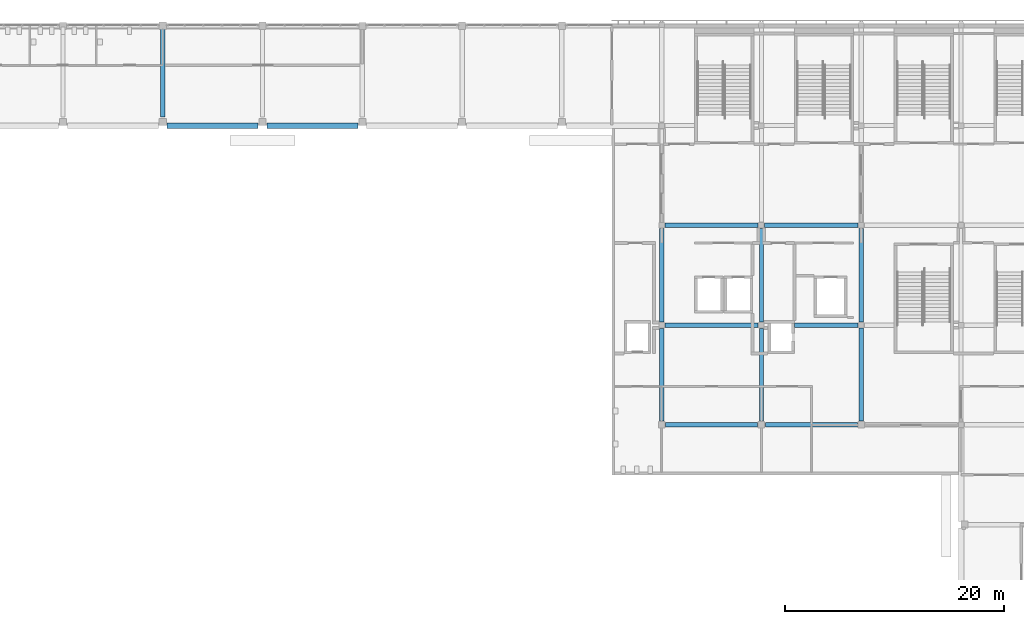
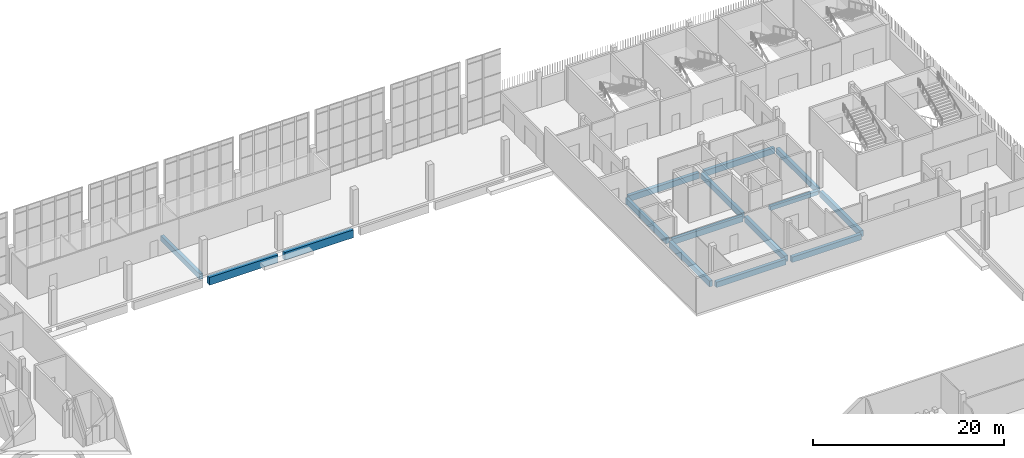
# One storey, part 20 of 91: 15 beams.
"""IFC4 building model written with IfcOpenShell, lengths in metres."""

from ifc_helpers import new_model, si_unit, direction, frame, origin, origin_2d, place, context, subcontext, project, spatial, rectangle, extrude, material, material_profile, profile_set, type_object, element, save


model = new_model("IFC4")

# Units and contexts
model_context = context("Model", 3, precision=1e-05, world=origin(), true_north=direction((0.0, 1.0)))
body_context = subcontext(model_context, "Body", "Model", "MODEL_VIEW")
ifc_project = project(units=[si_unit("LENGTHUNIT", "METRE"), si_unit("AREAUNIT", "SQUARE_METRE"), si_unit("VOLUMEUNIT", "CUBIC_METRE"), si_unit("PLANEANGLEUNIT", "RADIAN"), si_unit("MASSUNIT", "GRAM", prefix="KILO")], contexts=[model_context])

# Site, building, storey
site_placement = place(None, origin())
site = spatial("IfcSite", under=ifc_project, at=site_placement, CompositionType="ELEMENT")
building_placement = place(site_placement, origin())
building = spatial("IfcBuilding", under=site, at=building_placement, Name="Shirokan Park Arena", CompositionType="ELEMENT")
storey_placement = place(building_placement, frame((0.0, 0.0, 24.570068359375)))
storey = spatial("IfcBuildingStorey", under=building, at=storey_placement, Name="L05", CompositionType="ELEMENT", Elevation=24.570068359375)

# Beams
ifc_material = material(Name="Concrete C35", Category="concrete")
ifc_material_profile_1 = material_profile(ifc_material, rectangle(XDim=0.39990234375, YDim=0.5, at=origin_2d()), Name="400x500")
ifc_profile_set_1 = profile_set([ifc_material_profile_1], Name="Concrete C35")
beam_type_1 = type_object("IfcBeamType", Name="RC girder 400x500", PredefinedType="BEAM", material=ifc_profile_set_1)
beam_1_placement = place(storey_placement, frame((121.300048828125, 81.89990234375, -0.550048828125), z_axis=(1.0, 0.0, 0.0), x_axis=(0.0, 1.0, 0.0)))
element("IfcBeam", 1, at=beam_1_placement, inside=storey, type_object=beam_type_1, Name="Girder 14K-15K L05", PredefinedType="BEAM", context=body_context, shape_type="SweptSolid", body=[
    extrude(rectangle(XDim=0.39990234375, YDim=0.5, at=origin_2d()), origin(), (0.0, 0.0, 1.0), 5.824951171875),
])
ifc_material_profile_2 = material_profile(ifc_material, rectangle(XDim=0.39990234375, YDim=0.699951171875, at=origin_2d()), Name="400x700")
ifc_profile_set_2 = profile_set([ifc_material_profile_2], Name="Concrete C35")
beam_type_2 = type_object("IfcBeamType", Name="RC girder 400x700", PredefinedType="BEAM", material=ifc_profile_set_2)
beam_2_placement = place(storey_placement, frame((109.550048828125, 72.800048828125, -0.650146484375), z_axis=(1.0, 0.0, 0.0), x_axis=(0.0, 1.0, 0.0)))
element("IfcBeam", 2, at=beam_2_placement, inside=storey, type_object=beam_type_2, Name="Girder 13J-14J L05", PredefinedType="BEAM", context=body_context, shape_type="SweptSolid", body=[
    extrude(rectangle(XDim=0.39990234375, YDim=0.699951171875, at=origin_2d()), origin(), (0.0, 0.0, 1.0), 8.39990234375),
])
beam_3_placement = place(storey_placement, frame((118.650146484375, 72.800048828125, -0.650146484375), z_axis=(1.0, 0.0, 0.0), x_axis=(0.0, 1.0, 0.0)))
element("IfcBeam", 3, at=beam_3_placement, inside=storey, type_object=beam_type_2, Name="Girder 14J-15J L05", PredefinedType="BEAM", context=body_context, shape_type="SweptSolid", body=[
    extrude(rectangle(XDim=0.39990234375, YDim=0.699951171875, at=origin_2d()), origin(), (0.0, 0.0, 1.0), 8.399658203125),
])
beam_4_placement = place(storey_placement, frame((63.699951171875, 100.900146484375, -0.650146484375), z_axis=(0.0, 1.0, 0.0), x_axis=(-1.0, 0.0, 0.0)))
element("IfcBeam", 4, at=beam_4_placement, inside=storey, type_object=beam_type_2, Name="Girder 8M-8N L05", PredefinedType="BEAM", context=body_context, shape_type="SweptSolid", body=[
    extrude(rectangle(XDim=0.39990234375, YDim=0.699951171875, at=origin_2d()), origin(), (0.0, 0.0, 1.0), 8.124755859375),
])
ifc_material_profile_3 = material_profile(ifc_material, rectangle(XDim=0.39990234375, YDim=0.75, at=origin_2d()), Name="400x750")
ifc_profile_set_3 = profile_set([ifc_material_profile_3], Name="Concrete C35")
beam_type_3 = type_object("IfcBeamType", Name="RC girder 400x750", PredefinedType="BEAM", material=ifc_profile_set_3)
for number, where, z_axis, x_axis, name in (
    (5, (109.5, 81.89990234375, -0.675048828125), (1.0, 0.0, 0.0), (0.0, 1.0, 0.0), "Girder 13K-14K L05"),
    (6, (109.5, 91.0, -0.675048828125), (1.0, 0.0, 0.0), (0.0, 1.0, 0.0), "Girder 13L-14L L05"),
):
    element("IfcBeam", number, at=place(storey_placement, frame(where, z_axis=z_axis, x_axis=x_axis)), inside=storey, type_object=beam_type_3, Name=name, PredefinedType="BEAM", context=body_context, shape_type="SweptSolid", body=[
        extrude(rectangle(XDim=0.39990234375, YDim=0.75, at=origin_2d()), origin(), (0.0, 0.0, 1.0), 8.5),
    ])
beam_5_placement = place(storey_placement, frame((118.60009765625, 91.0, -0.675048828125), z_axis=(1.0, 0.0, 0.0), x_axis=(0.0, 1.0, 0.0)))
element("IfcBeam", 7, at=beam_5_placement, inside=storey, type_object=beam_type_3, Name="Girder 14L-15L L05", PredefinedType="BEAM", context=body_context, shape_type="SweptSolid", body=[
    extrude(rectangle(XDim=0.39990234375, YDim=0.75, at=origin_2d()), origin(), (0.0, 0.0, 1.0), 8.499755859375),
])
beam_6_placement = place(storey_placement, frame((109.199951171875, 73.150146484375, -0.675048828125), z_axis=(0.0, 1.0, 0.0), x_axis=(-1.0, 0.0, 0.0)))
element("IfcBeam", 8, at=beam_6_placement, inside=storey, type_object=beam_type_3, Name="Girder 13J-13K L05", PredefinedType="BEAM", context=body_context, shape_type="SweptSolid", body=[
    extrude(rectangle(XDim=0.39990234375, YDim=0.75, at=origin_2d()), origin(), (0.0, 0.0, 1.0), 8.44970703125),
])
beam_7_placement = place(storey_placement, frame((109.199951171875, 82.2001953125, -0.675048828125), z_axis=(0.0, 1.0, 0.0), x_axis=(-1.0, 0.0, 0.0)))
element("IfcBeam", 9, at=beam_7_placement, inside=storey, type_object=beam_type_3, Name="Girder 13K-13L L05", PredefinedType="BEAM", context=body_context, shape_type="SweptSolid", body=[
    extrude(rectangle(XDim=0.39990234375, YDim=0.75, at=origin_2d()), origin(), (0.0, 0.0, 1.0), 8.499755859375),
])
beam_8_placement = place(storey_placement, frame((118.300048828125, 73.150146484375, -0.675048828125), z_axis=(0.0, 1.0, 0.0), x_axis=(-1.0, 0.0, 0.0)))
element("IfcBeam", 10, at=beam_8_placement, inside=storey, type_object=beam_type_3, Name="Girder 14J-14K L05", PredefinedType="BEAM", context=body_context, shape_type="SweptSolid", body=[
    extrude(rectangle(XDim=0.39990234375, YDim=0.75, at=origin_2d()), origin(), (0.0, 0.0, 1.0), 8.44970703125),
])
beam_9_placement = place(storey_placement, frame((118.300048828125, 82.2001953125, -0.675048828125), z_axis=(0.0, 1.0, 0.0), x_axis=(-1.0, 0.0, 0.0)))
element("IfcBeam", 11, at=beam_9_placement, inside=storey, type_object=beam_type_3, Name="Girder 14K-14L L05", PredefinedType="BEAM", context=body_context, shape_type="SweptSolid", body=[
    extrude(rectangle(XDim=0.39990234375, YDim=0.75, at=origin_2d()), origin(), (0.0, 0.0, 1.0), 8.499755859375),
])
beam_10_placement = place(storey_placement, frame((127.39990234375, 73.150146484375, -0.675048828125), z_axis=(0.0, 1.0, 0.0), x_axis=(-1.0, 0.0, 0.0)))
element("IfcBeam", 12, at=beam_10_placement, inside=storey, type_object=beam_type_3, Name="Girder 15J-15K L05", PredefinedType="BEAM", context=body_context, shape_type="SweptSolid", body=[
    extrude(rectangle(XDim=0.39990234375, YDim=0.75, at=origin_2d()), origin(), (0.0, 0.0, 1.0), 8.474853515625),
])
beam_11_placement = place(storey_placement, frame((127.39990234375, 82.175048828125, -0.675048828125), z_axis=(0.0, 1.0, 0.0), x_axis=(-1.0, 0.0, 0.0)))
element("IfcBeam", 13, at=beam_11_placement, inside=storey, type_object=beam_type_3, Name="Girder 15K-15L L05", PredefinedType="BEAM", context=body_context, shape_type="SweptSolid", body=[
    extrude(rectangle(XDim=0.39990234375, YDim=0.75, at=origin_2d()), origin(), (0.0, 0.0, 1.0), 8.52490234375),
])
ifc_material_profile_4 = material_profile(ifc_material, rectangle(XDim=0.5, YDim=1.0, at=origin_2d()), Name="500x1000")
ifc_profile_set_4 = profile_set([ifc_material_profile_4], Name="Concrete C35")
beam_type_4 = type_object("IfcBeamType", Name="RC girder 500x1000", PredefinedType="BEAM", material=ifc_profile_set_4)
for number, where, z_axis, x_axis, name in (
    (14, (64.10009765625, 100.10009765625, -0.800048828125), (1.0, 0.0, 0.0), (0.0, 1.0, 0.0), "Girder 8M-9M L05"),
    (15, (73.2001953125, 100.10009765625, -0.800048828125), (1.0, 0.0, 0.0), (0.0, 1.0, 0.0), "Girder 9M-10M L05"),
):
    element("IfcBeam", number, at=place(storey_placement, frame(where, z_axis=z_axis, x_axis=x_axis)), inside=storey, type_object=beam_type_4, Name=name, PredefinedType="BEAM", context=body_context, shape_type="SweptSolid", body=[
        extrude(rectangle(XDim=0.5, YDim=1.0, at=origin_2d()), origin(), (0.0, 0.0, 1.0), 8.2998046875),
    ])

save(model, "model.ifc")
